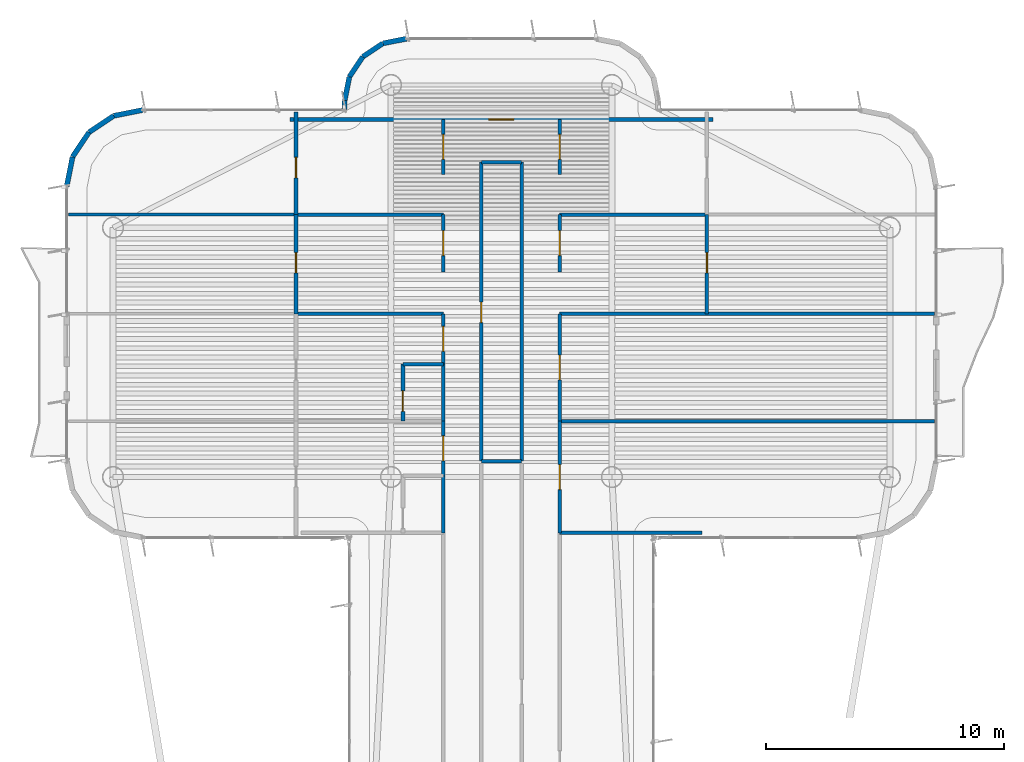
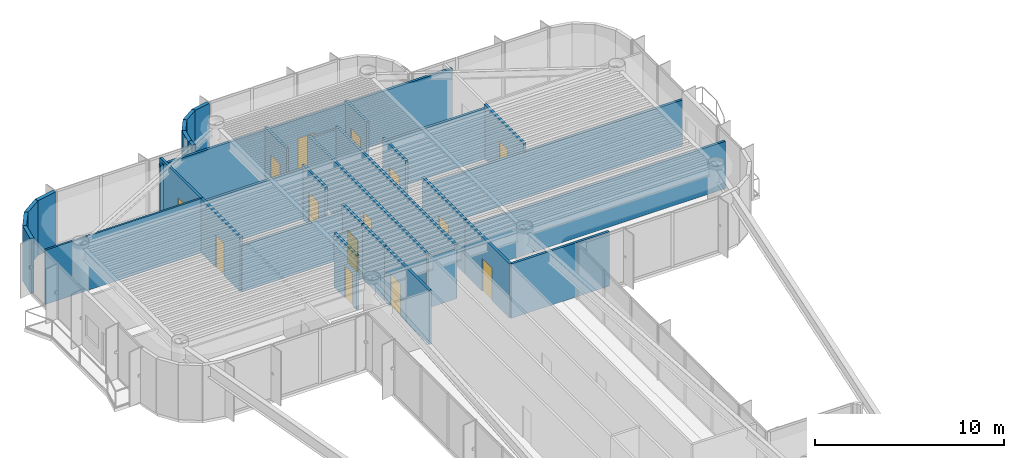
# One storey, part 12 of 15: 36 walls, 14 doors, 14 openings.
"""IFC4 building model written with IfcOpenShell, lengths in metres."""

from ifc_helpers import new_model, si_unit, direction, frame, frame_2d, origin, origin_2d, place, context, subcontext, project, spatial, rectangle, extrude, source, transform, mapped, material, layer, layer_set, type_object, element, fill, save


model = new_model("IFC4")

# Units and contexts
model_context = context("Model", 3, precision=1e-05, world=origin(), true_north=direction((0.0, 1.0)))
body_context = subcontext(model_context, "Body", "Model", "MODEL_VIEW")
ifc_project = project(units=[si_unit("LENGTHUNIT", "METRE"), si_unit("AREAUNIT", "SQUARE_METRE"), si_unit("VOLUMEUNIT", "CUBIC_METRE"), si_unit("PLANEANGLEUNIT", "RADIAN"), si_unit("MASSUNIT", "GRAM", prefix="KILO")], contexts=[model_context])

# Site, building, storey
site_placement = place(None, origin())
site = spatial("IfcSite", under=ifc_project, at=site_placement, CompositionType="ELEMENT")
building_placement = place(site_placement, origin())
building = spatial("IfcBuilding", under=site, at=building_placement, Name="Brelvock Crest Care Tower", CompositionType="ELEMENT")
storey_placement = place(building_placement, frame((0.0, 0.0, 268.3798828125)))
storey = spatial("IfcBuildingStorey", under=building, at=storey_placement, Name="L68", CompositionType="ELEMENT", Elevation=268.3798828125)

# Walls
ifc_material_1 = material(Name="Precast concrete N40 (40 MPa)", Category="concrete")
ifc_layer_1 = layer(ifc_material_1, 0.215087890625, Name="WL-EX2")
ifc_layer_set_1 = layer_set([ifc_layer_1], Name="Precast concrete N40 (40 MPa)")
wall_type_1 = type_object("IfcWallType", Name="WL-EX2", PredefinedType="SOLIDWALL", material=ifc_layer_set_1)
for number, where, z_axis, x_axis, name in (
    (1, (17.699951171875, 56.199951171875, 0.0), (0.0, 0.0, 1.0), (0.195138390419, 0.980775717779, 0.0), "L68 Rounded Corner Wall 18"),
    (2, (17.943603515625, 57.424560546875, 0.0), (0.0, 0.0, 1.0), (0.555557312883, 0.831478245117, 0.0), "L68 Rounded Corner Wall 19"),
    (3, (18.63720703125, 58.462646484375, 0.0), (0.0, 0.0, 1.0), (0.831387912822, 0.555692485475, 0.0), "L68 Rounded Corner Wall 20"),
    (4, (19.67529296875, 59.156494140625, 0.0), (0.0, 0.0, 1.0), (0.980813122964, 0.194950295773, 0.0), "L68 Rounded Corner Wall 21"),
):
    element("IfcWall", number, at=place(storey_placement, frame(where, z_axis=z_axis, x_axis=x_axis)), inside=storey, type_object=wall_type_1, Name=name, PredefinedType="SOLIDWALL", context=body_context, shape_type="SweptSolid", body=[
        extrude(rectangle(XDim=1.24853515625, YDim=0.215087890625, at=frame_2d((0.624267578125, 0.0))), origin(), (0.0, 0.0, 1.0), 3.530029296875),
    ])
wall_1_placement = place(storey_placement, frame((29.39990234375, 59.39990234375, 0.0), z_axis=(0.0, 0.0, 1.0), x_axis=(0.0, 1.0, 0.0)))
element("IfcWall", 5, at=wall_1_placement, inside=storey, type_object=wall_type_1, Name="L68 Rounded Corner Wall 23", PredefinedType="SOLIDWALL", context=body_context, shape_type="SweptSolid", body=[
    extrude(rectangle(XDim=0.400146484375, YDim=0.215087890625, at=frame_2d((0.2001953125, 0.0))), origin(), (0.0, 0.0, 1.0), 3.530029296875),
])
wall_2_placement = place(storey_placement, frame((29.39990234375, 59.800048828125, 0.0), z_axis=(0.0, 0.0, 1.0), x_axis=(0.195190360752, 0.980765376158, 0.0)))
element("IfcWall", 6, at=wall_2_placement, inside=storey, type_object=wall_type_1, Name="L68 Rounded Corner Wall 24", PredefinedType="SOLIDWALL", context=body_context, shape_type="SweptSolid", body=[
    extrude(rectangle(XDim=1.014404296875, YDim=0.215087890625, at=frame_2d((0.50732421875, 0.0))), origin(), (0.0, 0.0, 1.0), 3.530029296875),
])
wall_3_placement = place(storey_placement, frame((29.597900390625, 60.794921875, 0.0), z_axis=(0.0, 0.0, 1.0), x_axis=(0.555643898837, 0.831420385657, 0.0)))
element("IfcWall", 7, at=wall_3_placement, inside=storey, type_object=wall_type_1, Name="L68 Rounded Corner Wall 25", PredefinedType="SOLIDWALL", context=body_context, shape_type="SweptSolid", body=[
    extrude(rectangle(XDim=1.0146484375, YDim=0.215087890625, at=frame_2d((0.50732421875, 0.0))), origin(), (0.0, 0.0, 1.0), 3.530029296875),
])
wall_4_placement = place(storey_placement, frame((30.16162109375, 61.638427734375, 0.0), z_axis=(0.0, 0.0, 1.0), x_axis=(0.831346067305, 0.555755086685, 0.0)))
element("IfcWall", 8, at=wall_4_placement, inside=storey, type_object=wall_type_1, Name="L68 Rounded Corner Wall 26", PredefinedType="SOLIDWALL", context=body_context, shape_type="SweptSolid", body=[
    extrude(rectangle(XDim=1.014404296875, YDim=0.215087890625, at=frame_2d((0.50732421875, 0.0))), origin(), (0.0, 0.0, 1.0), 3.530029296875),
])
wall_5_placement = place(storey_placement, frame((31.0048828125, 62.2021484375, 0.0), z_axis=(0.0, 0.0, 1.0), x_axis=(0.980820570666, 0.194912821943, 0.0)))
element("IfcWall", 9, at=wall_5_placement, inside=storey, type_object=wall_type_1, Name="L68 Rounded Corner Wall 27", PredefinedType="SOLIDWALL", context=body_context, shape_type="SweptSolid", body=[
    extrude(rectangle(XDim=1.0146484375, YDim=0.215087890625, at=frame_2d((0.50732421875, 0.0))), origin(), (0.0, 0.0, 1.0), 3.530029296875),
])
ifc_material_2 = material(Name="Masonry Blockwork Acoustic Partition", Category="masonry")
ifc_layer_2 = layer(ifc_material_2, 0.14990234375, Name="WL-INT1")
ifc_layer_set_2 = layer_set([ifc_layer_2], Name="Masonry Blockwork Acoustic Partition")
wall_type_2 = type_object("IfcWallType", Name="WL-INT1", PredefinedType="PARTITIONING", material=ifc_layer_set_2)
wall_6_placement = place(storey_placement, frame((38.449951171875, 41.60009765625, 0.0), z_axis=(0.0, 0.0, 1.0), x_axis=(1.0, 0.0, 0.0)))
element("IfcWall", 10, at=wall_6_placement, inside=storey, type_object=wall_type_2, Name="L68 Interior Wall WL-BX-L68-ESW1-S", PredefinedType="PARTITIONING", context=body_context, shape_type="SweptSolid", body=[
    extrude(rectangle(XDim=5.993408203125, YDim=0.14990234375, at=frame_2d((2.99658203125, 0.0))), origin(), (0.0, 0.0, 1.0), 3.5),
])
wall_7_placement = place(storey_placement, frame((35.14990234375, 44.6201171875, 0.0), z_axis=(0.0, 0.0, 1.0), x_axis=(1.0, 0.0, 0.0)))
element("IfcWall", 11, at=wall_7_placement, inside=storey, type_object=wall_type_2, Name="L68 Interior Wall WL-BX-L68-ISKT-S", PredefinedType="PARTITIONING", context=body_context, shape_type="SweptSolid", body=[
    extrude(rectangle(XDim=1.7001953125, YDim=0.14990234375, at=frame_2d((0.85009765625, 0.0))), origin(), (0.0, 0.0, 1.0), 3.259033203125),
])
wall_8_placement = place(storey_placement, frame((38.449951171875, 46.298095703125, 0.0), z_axis=(0.0, 0.0, 1.0), x_axis=(1.0, 0.0, 0.0)))
element("IfcWall", 12, at=wall_8_placement, inside=storey, type_object=wall_type_2, Name="L68 Interior Wall WL-BX-L68-ESW1-N", PredefinedType="PARTITIONING", context=body_context, shape_type="SweptSolid", body=[
    extrude(rectangle(XDim=15.77001953125, YDim=0.14990234375, at=frame_2d((7.885009765625, 0.0))), origin(), (0.0, 0.0, 1.0), 3.05517578125),
])
wall_9_placement = place(storey_placement, frame((27.35009765625, 50.822021484375, 0.0), z_axis=(0.0, 0.0, 1.0), x_axis=(1.0, 0.0, 0.0)))
element("IfcWall", 13, at=wall_9_placement, inside=storey, type_object=wall_type_2, Name="L68 Interior Wall WL-BX-L68-CS-WS2-N", PredefinedType="PARTITIONING", context=body_context, shape_type="SweptSolid", body=[
    extrude(rectangle(XDim=6.199951171875, YDim=0.14990234375, at=frame_2d((3.10009765625, 0.0))), origin(), (0.0, 0.0, 1.0), 2.982177734375),
])
wall_10_placement = place(storey_placement, frame((38.449951171875, 50.822021484375, 0.0), z_axis=(0.0, 0.0, 1.0), x_axis=(1.0, 0.0, 0.0)))
element("IfcWall", 14, at=wall_10_placement, inside=storey, type_object=wall_type_2, Name="L68 Interior Wall WL-BX-L68-ESW2-N", PredefinedType="PARTITIONING", context=body_context, shape_type="SweptSolid", body=[
    extrude(rectangle(XDim=15.77001953125, YDim=0.14990234375, at=frame_2d((7.885009765625, 0.0))), origin(), (0.0, 0.0, 1.0), 2.982177734375),
])
for number, where, z_axis, x_axis, name in (
    (15, (27.35009765625, 54.998046875, 0.0), (0.0, 0.0, 1.0), (1.0, 0.0, 0.0), "L68 Interior Wall WL-BX-L68-CS-WS3-N"),
    (16, (38.449951171875, 54.998046875, 0.0), (0.0, 0.0, 1.0), (1.0, 0.0, 0.0), "L68 Interior Wall WL-BX-L68-CS-ES3-N"),
):
    element("IfcWall", number, at=place(storey_placement, frame(where, z_axis=z_axis, x_axis=x_axis)), inside=storey, type_object=wall_type_2, Name=name, PredefinedType="PARTITIONING", context=body_context, shape_type="SweptSolid", body=[
        extrude(rectangle(XDim=6.199951171875, YDim=0.14990234375, at=frame_2d((3.10009765625, 0.0))), origin(), (0.0, 0.0, 1.0), 3.259033203125),
    ])
wall_11_placement = place(storey_placement, frame((35.14990234375, 57.199951171875, 0.0), z_axis=(0.0, 0.0, 1.0), x_axis=(1.0, 0.0, 0.0)))
element("IfcWall", 17, at=wall_11_placement, inside=storey, type_object=wall_type_2, Name="L68 Interior Wall WL-BX-L68-ISKT-N", PredefinedType="PARTITIONING", context=body_context, shape_type="SweptSolid", body=[
    extrude(rectangle(XDim=1.7001953125, YDim=0.14990234375, at=frame_2d((0.85009765625, 0.0))), origin(), (0.0, 0.0, 1.0), 3.30810546875),
])

# Wall, opening, door
wall_12_placement = place(storey_placement, frame((27.10009765625, 59.0, 0.0), z_axis=(0.0, 0.0, 1.0), x_axis=(1.0, 0.0, 0.0)))
wall_12 = element("IfcWall", 18, at=wall_12_placement, inside=storey, type_object=wall_type_2, Name="L68 Interior Wall WL-RM-L68-NHUB", PredefinedType="PARTITIONING", context=body_context, shape_type="SweptSolid", body=[
    extrude(rectangle(XDim=17.7998046875, YDim=0.14990234375, at=frame_2d((8.89990234375, 0.0))), origin(), (0.0, 0.0, 1.0), 3.30810546875),
])
opening_1_placement = place(wall_12_placement, frame((8.375, 0.0, 0.0)))
opening_1 = element("IfcOpeningElement", 19, at=opening_1_placement, cuts=wall_12, Name="Opening CLD-1", PredefinedType="OPENING", context=body_context, shape_type="SweptSolid", body=[
    extrude(rectangle(XDim=1.050048828125, YDim=2.10009765625, at=origin_2d()), frame((0.52490234375, 0.0849609375, 1.050048828125), z_axis=(0.0, -1.0, 0.0), x_axis=(1.0, 0.0, 0.0)), (0.0, 0.0, 1.0), 0.169921875),
])
ifc_material_3 = material(Name="Engineered Hardwood Timber", Category="wood")
door_type_1 = type_object("IfcDoorType", Name="DR-CLN1", OperationType="NOTDEFINED", PredefinedType="DOOR", material=ifc_material_3)
shared_shape_1 = source(origin(), body_context, "Body", "SweptSolid", [
    extrude(rectangle(XDim=1.050048828125, YDim=2.10009765625, at=origin_2d()), frame((0.52490234375, 0.02490234375, 1.050048828125), z_axis=(0.0, -1.0, 0.0), x_axis=(1.0, 0.0, 0.0)), (0.0, 0.0, 1.0), 0.050048828125),
])
door_1_placement = place(opening_1_placement, origin())
door_1 = element("IfcDoor", 20, at=door_1_placement, inside=storey, type_object=door_type_1, Name="L68 North Crest Conservatory Lounge Door NHUB", OperationType="SINGLE_SWING_LEFT", OverallHeight=2.10009765625, OverallWidth=1.050048828125, PredefinedType="DOOR", context=body_context, shape_type="MappedRepresentation", body=[
    mapped(shared_shape_1, transform((0.0, 0.0, 0.0), x_axis=(1.0, 0.0, 0.0), y_axis=(0.0, 1.0, 0.0), z_axis=(0.0, 0.0, 1.0), scale=1.0)),
])
fill(opening_1, door_1)

wall_13_placement = place(storey_placement, frame((27.35009765625, 50.822021484375, 0.0), z_axis=(0.0, 0.0, 1.0), x_axis=(0.0, 1.0, 0.0)))
wall_13 = element("IfcWall", 21, at=wall_13_placement, inside=storey, type_object=wall_type_2, Name="L68 Interior Wall WL-RM-L68-WS3S", PredefinedType="PARTITIONING", context=body_context, shape_type="SweptSolid", body=[
    extrude(rectangle(XDim=4.176025390625, YDim=0.14990234375, at=frame_2d((2.087890625, 0.0))), origin(), (0.0, 0.0, 1.0), 3.5),
])
opening_2_placement = place(wall_13_placement, frame((1.718017578125, 0.0, 0.0)))
opening_2 = element("IfcOpeningElement", 22, at=opening_2_placement, cuts=wall_13, Name="Opening ID-1", PredefinedType="OPENING", context=body_context, shape_type="SweptSolid", body=[
    extrude(rectangle(XDim=0.860107421875, YDim=2.10009765625, at=origin_2d()), frame((0.43017578125, 0.0849609375, 1.050048828125), z_axis=(0.0, -1.0, 0.0), x_axis=(1.0, 0.0, 0.0)), (0.0, 0.0, 1.0), 0.169921875),
])
door_type_2 = type_object("IfcDoorType", Name="DR-INT1", OperationType="NOTDEFINED", PredefinedType="DOOR", material=ifc_material_3)
shared_shape_2 = source(origin(), body_context, "Body", "SweptSolid", [
    extrude(rectangle(XDim=0.860107421875, YDim=2.10009765625, at=origin_2d()), frame((0.43017578125, 0.02490234375, 1.050048828125), z_axis=(0.0, -1.0, 0.0), x_axis=(1.0, 0.0, 0.0)), (0.0, 0.0, 1.0), 0.050048828125),
])
door_2_placement = place(opening_2_placement, origin())
door_2 = element("IfcDoor", 23, at=door_2_placement, inside=storey, type_object=door_type_2, Name="L68 Skilled Nursing Mobility Store Door WS3S", OperationType="SINGLE_SWING_LEFT", OverallHeight=2.10009765625, OverallWidth=0.860107421875, PredefinedType="DOOR", context=body_context, shape_type="MappedRepresentation", body=[
    mapped(shared_shape_2, transform((0.0, 0.0, 0.0), x_axis=(1.0, 0.0, 0.0), y_axis=(0.0, 1.0, 0.0), z_axis=(0.0, 0.0, 1.0), scale=1.0)),
])
fill(opening_2, door_2)

wall_14_placement = place(storey_placement, frame((27.35009765625, 54.998046875, 0.0), z_axis=(0.0, 0.0, 1.0), x_axis=(0.0, 1.0, 0.0)))
wall_14 = element("IfcWall", 24, at=wall_14_placement, inside=storey, type_object=wall_type_2, Name="L68 Interior Wall WL-RM-L68-WS4S", PredefinedType="PARTITIONING", context=body_context, shape_type="SweptSolid", body=[
    extrude(rectangle(XDim=4.324462890625, YDim=0.14990234375, at=frame_2d((2.162109375, 0.0))), origin(), (0.0, 0.0, 1.0), 3.5),
])
opening_3_placement = place(wall_14_placement, frame((1.5419921875, 0.0, 0.0)))
opening_3 = element("IfcOpeningElement", 25, at=opening_3_placement, cuts=wall_14, Name="Opening ID-1", PredefinedType="OPENING", context=body_context, shape_type="SweptSolid", body=[
    extrude(rectangle(XDim=0.860107421875, YDim=2.10009765625, at=origin_2d()), frame((0.43017578125, 0.0849609375, 1.050048828125), z_axis=(0.0, -1.0, 0.0), x_axis=(1.0, 0.0, 0.0)), (0.0, 0.0, 1.0), 0.169921875),
])
door_3_placement = place(opening_3_placement, origin())
door_3 = element("IfcDoor", 26, at=door_3_placement, inside=storey, type_object=door_type_2, Name="L68 Skilled Nursing Mobility Store Door WS4S", OperationType="SINGLE_SWING_LEFT", OverallHeight=2.10009765625, OverallWidth=0.860107421875, PredefinedType="DOOR", context=body_context, shape_type="MappedRepresentation", body=[
    mapped(shared_shape_2, transform((0.0, 0.0, 0.0), x_axis=(1.0, 0.0, 0.0), y_axis=(0.0, 1.0, 0.0), z_axis=(0.0, 0.0, 1.0), scale=1.0)),
])
fill(opening_3, door_3)

wall_15_placement = place(storey_placement, frame((33.550048828125, 44.0, 0.0), z_axis=(0.0, 0.0, 1.0), x_axis=(0.0, 1.0, 0.0)))
wall_15 = element("IfcWall", 27, at=wall_15_placement, inside=storey, type_object=wall_type_2, Name="L68 Interior Wall WL-CENT-L68-WS1", PredefinedType="PARTITIONING", context=body_context, shape_type="SweptSolid", body=[
    extrude(rectangle(XDim=2.298095703125, YDim=0.14990234375, at=frame_2d((1.14892578125, 0.0))), origin(), (0.0, 0.0, 1.0), 3.5),
])
opening_4_placement = place(wall_15_placement, frame((0.62890625, 0.0, 0.0)))
opening_4 = element("IfcOpeningElement", 28, at=opening_4_placement, cuts=wall_15, Name="Opening CD-1", PredefinedType="OPENING", context=body_context, shape_type="SweptSolid", body=[
    extrude(rectangle(XDim=1.050048828125, YDim=2.10009765625, at=origin_2d()), frame((0.52490234375, 0.0849609375, 1.050048828125), z_axis=(0.0, -1.0, 0.0), x_axis=(1.0, 0.0, 0.0)), (0.0, 0.0, 1.0), 0.169921875),
])
door_type_3 = type_object("IfcDoorType", Name="DR-CARE1", OperationType="NOTDEFINED", PredefinedType="DOOR", material=ifc_material_3)
shared_shape_3 = source(origin(), body_context, "Body", "SweptSolid", [
    extrude(rectangle(XDim=1.050048828125, YDim=2.10009765625, at=origin_2d()), frame((0.52490234375, 0.02490234375, 1.050048828125), z_axis=(0.0, -1.0, 0.0), x_axis=(1.0, 0.0, 0.0)), (0.0, 0.0, 1.0), 0.050048828125),
])
door_4_placement = place(opening_4_placement, origin())
door_4 = element("IfcDoor", 29, at=door_4_placement, inside=storey, type_object=door_type_3, Name="L68 Care Suite Door WS1", OperationType="SINGLE_SWING_LEFT", OverallHeight=2.10009765625, OverallWidth=1.050048828125, PredefinedType="DOOR", context=body_context, shape_type="MappedRepresentation", body=[
    mapped(shared_shape_3, transform((0.0, 0.0, 0.0), x_axis=(1.0, 0.0, 0.0), y_axis=(0.0, 1.0, 0.0), z_axis=(0.0, 0.0, 1.0), scale=1.0)),
])
fill(opening_4, door_4)

wall_16_placement = place(storey_placement, frame((33.550048828125, 48.697998046875, 0.0), z_axis=(0.0, 0.0, 1.0), x_axis=(0.0, 1.0, 0.0)))
wall_16 = element("IfcWall", 30, at=wall_16_placement, inside=storey, type_object=wall_type_2, Name="L68 Interior Wall WL-CENT-L68-WS2", PredefinedType="PARTITIONING", context=body_context, shape_type="SweptSolid", body=[
    extrude(rectangle(XDim=2.1240234375, YDim=0.14990234375, at=frame_2d((1.06201171875, 0.0))), origin(), (0.0, 0.0, 1.0), 3.5),
])
opening_5_placement = place(wall_16_placement, frame((0.5419921875, 0.0, 0.0)))
opening_5 = element("IfcOpeningElement", 31, at=opening_5_placement, cuts=wall_16, Name="Opening CD-1", PredefinedType="OPENING", context=body_context, shape_type="SweptSolid", body=[
    extrude(rectangle(XDim=1.050048828125, YDim=2.10009765625, at=origin_2d()), frame((0.52490234375, 0.0849609375, 1.050048828125), z_axis=(0.0, -1.0, 0.0), x_axis=(1.0, 0.0, 0.0)), (0.0, 0.0, 1.0), 0.169921875),
])
door_5_placement = place(opening_5_placement, origin())
door_5 = element("IfcDoor", 32, at=door_5_placement, inside=storey, type_object=door_type_3, Name="L68 Care Suite Door WS2", OperationType="SINGLE_SWING_LEFT", OverallHeight=2.10009765625, OverallWidth=1.050048828125, PredefinedType="DOOR", context=body_context, shape_type="MappedRepresentation", body=[
    mapped(shared_shape_3, transform((0.0, 0.0, 0.0), x_axis=(1.0, 0.0, 0.0), y_axis=(0.0, 1.0, 0.0), z_axis=(0.0, 0.0, 1.0), scale=1.0)),
])
fill(opening_5, door_5)

wall_17_placement = place(storey_placement, frame((33.550048828125, 52.575927734375, 0.0), z_axis=(0.0, 0.0, 1.0), x_axis=(0.0, 1.0, 0.0)))
wall_17 = element("IfcWall", 33, at=wall_17_placement, inside=storey, type_object=wall_type_2, Name="L68 Interior Wall WL-CENT-L68-WS3", PredefinedType="PARTITIONING", context=body_context, shape_type="SweptSolid", body=[
    extrude(rectangle(XDim=2.422119140625, YDim=0.14990234375, at=frame_2d((1.2109375, 0.0))), origin(), (0.0, 0.0, 1.0), 3.5),
])
opening_6_placement = place(wall_17_placement, frame((0.69091796875, 0.0, 0.0)))
opening_6 = element("IfcOpeningElement", 34, at=opening_6_placement, cuts=wall_17, Name="Opening CD-1", PredefinedType="OPENING", context=body_context, shape_type="SweptSolid", body=[
    extrude(rectangle(XDim=1.050048828125, YDim=2.10009765625, at=origin_2d()), frame((0.52490234375, 0.0849609375, 1.050048828125), z_axis=(0.0, -1.0, 0.0), x_axis=(1.0, 0.0, 0.0)), (0.0, 0.0, 1.0), 0.169921875),
])
door_6_placement = place(opening_6_placement, origin())
door_6 = element("IfcDoor", 35, at=door_6_placement, inside=storey, type_object=door_type_3, Name="L68 Care Suite Door WS3", OperationType="SINGLE_SWING_LEFT", OverallHeight=2.10009765625, OverallWidth=1.050048828125, PredefinedType="DOOR", context=body_context, shape_type="MappedRepresentation", body=[
    mapped(shared_shape_3, transform((0.0, 0.0, 0.0), x_axis=(1.0, 0.0, 0.0), y_axis=(0.0, 1.0, 0.0), z_axis=(0.0, 0.0, 1.0), scale=1.0)),
])
fill(opening_6, door_6)

wall_18_placement = place(storey_placement, frame((33.550048828125, 56.678955078125, 0.0), z_axis=(0.0, 0.0, 1.0), x_axis=(0.0, 1.0, 0.0)))
wall_18 = element("IfcWall", 36, at=wall_18_placement, inside=storey, type_object=wall_type_2, Name="L68 Interior Wall WL-CENT-L68-WS4", PredefinedType="PARTITIONING", context=body_context, shape_type="SweptSolid", body=[
    extrude(rectangle(XDim=2.321044921875, YDim=0.14990234375, at=frame_2d((1.16064453125, 0.0))), origin(), (0.0, 0.0, 1.0), 3.5),
])
opening_7_placement = place(wall_18_placement, frame((0.639892578125, 0.0, 0.0)))
opening_7 = element("IfcOpeningElement", 37, at=opening_7_placement, cuts=wall_18, Name="Opening CD-1", PredefinedType="OPENING", context=body_context, shape_type="SweptSolid", body=[
    extrude(rectangle(XDim=1.050048828125, YDim=2.10009765625, at=origin_2d()), frame((0.52490234375, 0.0849609375, 1.050048828125), z_axis=(0.0, -1.0, 0.0), x_axis=(1.0, 0.0, 0.0)), (0.0, 0.0, 1.0), 0.169921875),
])
door_7_placement = place(opening_7_placement, origin())
door_7 = element("IfcDoor", 38, at=door_7_placement, inside=storey, type_object=door_type_3, Name="L68 Care Suite Door WS4", OperationType="SINGLE_SWING_LEFT", OverallHeight=2.10009765625, OverallWidth=1.050048828125, PredefinedType="DOOR", context=body_context, shape_type="MappedRepresentation", body=[
    mapped(shared_shape_3, transform((0.0, 0.0, 0.0), x_axis=(1.0, 0.0, 0.0), y_axis=(0.0, 1.0, 0.0), z_axis=(0.0, 0.0, 1.0), scale=1.0)),
])
fill(opening_7, door_7)

wall_19_placement = place(storey_placement, frame((35.14990234375, 44.6201171875, 0.0), z_axis=(0.0, 0.0, 1.0), x_axis=(0.0, 1.0, 0.0)))
wall_19 = element("IfcWall", 39, at=wall_19_placement, inside=storey, type_object=wall_type_2, Name="L68 Interior Wall WL-RM-L68-ISKT", PredefinedType="PARTITIONING", context=body_context, shape_type="SweptSolid", body=[
    extrude(rectangle(XDim=12.579833984375, YDim=0.14990234375, at=frame_2d((6.2900390625, 0.0))), origin(), (0.0, 0.0, 1.0), 3.5),
])
opening_8_placement = place(wall_19_placement, frame((5.830078125, 0.0, 0.0)))
opening_8 = element("IfcOpeningElement", 40, at=opening_8_placement, cuts=wall_19, Name="Opening ID-1", PredefinedType="OPENING", context=body_context, shape_type="SweptSolid", body=[
    extrude(rectangle(XDim=0.860107421875, YDim=2.10009765625, at=origin_2d()), frame((0.43017578125, 0.0849609375, 1.050048828125), z_axis=(0.0, -1.0, 0.0), x_axis=(1.0, 0.0, 0.0)), (0.0, 0.0, 1.0), 0.169921875),
])
door_8_placement = place(opening_8_placement, origin())
door_8 = element("IfcDoor", 41, at=door_8_placement, inside=storey, type_object=door_type_2, Name="L68 Communal Tea and Nutrition Pantry Door ISKT", OperationType="SINGLE_SWING_LEFT", OverallHeight=2.10009765625, OverallWidth=0.860107421875, PredefinedType="DOOR", context=body_context, shape_type="MappedRepresentation", body=[
    mapped(shared_shape_2, transform((0.0, 0.0, 0.0), x_axis=(1.0, 0.0, 0.0), y_axis=(0.0, 1.0, 0.0), z_axis=(0.0, 0.0, 1.0), scale=1.0)),
])
fill(opening_8, door_8)

# Wall
wall_20_placement = place(storey_placement, frame((36.85009765625, 44.6201171875, 0.0), z_axis=(0.0, 0.0, 1.0), x_axis=(0.0, 1.0, 0.0)))
element("IfcWall", 42, at=wall_20_placement, inside=storey, type_object=wall_type_2, Name="L68 Interior Wall WL-BX-L68-ISKT-E", PredefinedType="PARTITIONING", context=body_context, shape_type="SweptSolid", body=[
    extrude(rectangle(XDim=12.579833984375, YDim=0.14990234375, at=frame_2d((6.2900390625, 0.0))), origin(), (0.0, 0.0, 1.0), 3.5),
])

# Wall, opening, door
wall_21_placement = place(storey_placement, frame((38.449951171875, 41.60009765625, 0.0), z_axis=(0.0, 0.0, 1.0), x_axis=(0.0, 1.0, 0.0)))
wall_21 = element("IfcWall", 43, at=wall_21_placement, inside=storey, type_object=wall_type_2, Name="L68 Interior Wall WL-RM-L68-ESW1", PredefinedType="PARTITIONING", context=body_context, shape_type="SweptSolid", body=[
    extrude(rectangle(XDim=4.697998046875, YDim=0.14990234375, at=frame_2d((2.34912109375, 0.0))), origin(), (0.0, 0.0, 1.0), 3.5),
])
opening_9_placement = place(wall_21_placement, frame((1.823974609375, 0.0, 0.0)))
opening_9 = element("IfcOpeningElement", 44, at=opening_9_placement, cuts=wall_21, Name="Opening CD-1", PredefinedType="OPENING", context=body_context, shape_type="SweptSolid", body=[
    extrude(rectangle(XDim=1.050048828125, YDim=2.10009765625, at=origin_2d()), frame((0.52490234375, 0.0849609375, 1.050048828125), z_axis=(0.0, -1.0, 0.0), x_axis=(1.0, 0.0, 0.0)), (0.0, 0.0, 1.0), 0.169921875),
])
door_9_placement = place(opening_9_placement, origin())
door_9 = element("IfcDoor", 45, at=door_9_placement, inside=storey, type_object=door_type_3, Name="L68 Skilled Nursing Telemetry Ward Door ESW1", OperationType="SINGLE_SWING_LEFT", OverallHeight=2.10009765625, OverallWidth=1.050048828125, PredefinedType="DOOR", context=body_context, shape_type="MappedRepresentation", body=[
    mapped(shared_shape_3, transform((0.0, 0.0, 0.0), x_axis=(1.0, 0.0, 0.0), y_axis=(0.0, 1.0, 0.0), z_axis=(0.0, 0.0, 1.0), scale=1.0)),
])
fill(opening_9, door_9)

wall_22_placement = place(storey_placement, frame((38.449951171875, 46.298095703125, 0.0), z_axis=(0.0, 0.0, 1.0), x_axis=(0.0, 1.0, 0.0)))
wall_22 = element("IfcWall", 46, at=wall_22_placement, inside=storey, type_object=wall_type_2, Name="L68 Interior Wall WL-RM-L68-ESW2", PredefinedType="PARTITIONING", context=body_context, shape_type="SweptSolid", body=[
    extrude(rectangle(XDim=4.52392578125, YDim=0.14990234375, at=frame_2d((2.261962890625, 0.0))), origin(), (0.0, 0.0, 1.0), 3.5),
])
opening_10_placement = place(wall_22_placement, frame((1.737060546875, 0.0, 0.0)))
opening_10 = element("IfcOpeningElement", 47, at=opening_10_placement, cuts=wall_22, Name="Opening CD-1", PredefinedType="OPENING", context=body_context, shape_type="SweptSolid", body=[
    extrude(rectangle(XDim=1.050048828125, YDim=2.10009765625, at=origin_2d()), frame((0.52490234375, 0.0849609375, 1.050048828125), z_axis=(0.0, -1.0, 0.0), x_axis=(1.0, 0.0, 0.0)), (0.0, 0.0, 1.0), 0.169921875),
])
door_10_placement = place(opening_10_placement, origin())
door_10 = element("IfcDoor", 48, at=door_10_placement, inside=storey, type_object=door_type_3, Name="L68 Sub-Acute Geriatric Therapy Clinic Door ESW2", OperationType="SINGLE_SWING_LEFT", OverallHeight=2.10009765625, OverallWidth=1.050048828125, PredefinedType="DOOR", context=body_context, shape_type="MappedRepresentation", body=[
    mapped(shared_shape_3, transform((0.0, 0.0, 0.0), x_axis=(1.0, 0.0, 0.0), y_axis=(0.0, 1.0, 0.0), z_axis=(0.0, 0.0, 1.0), scale=1.0)),
])
fill(opening_10, door_10)

wall_23_placement = place(storey_placement, frame((38.449951171875, 52.575927734375, 0.0), z_axis=(0.0, 0.0, 1.0), x_axis=(0.0, 1.0, 0.0)))
wall_23 = element("IfcWall", 49, at=wall_23_placement, inside=storey, type_object=wall_type_2, Name="L68 Interior Wall WL-CENT-L68-ES3", PredefinedType="PARTITIONING", context=body_context, shape_type="SweptSolid", body=[
    extrude(rectangle(XDim=2.422119140625, YDim=0.14990234375, at=frame_2d((1.2109375, 0.0))), origin(), (0.0, 0.0, 1.0), 3.5),
])
opening_11_placement = place(wall_23_placement, frame((0.69091796875, 0.0, 0.0)))
opening_11 = element("IfcOpeningElement", 50, at=opening_11_placement, cuts=wall_23, Name="Opening CD-1", PredefinedType="OPENING", context=body_context, shape_type="SweptSolid", body=[
    extrude(rectangle(XDim=1.050048828125, YDim=2.10009765625, at=origin_2d()), frame((0.52490234375, 0.0849609375, 1.050048828125), z_axis=(0.0, -1.0, 0.0), x_axis=(1.0, 0.0, 0.0)), (0.0, 0.0, 1.0), 0.169921875),
])
door_11_placement = place(opening_11_placement, origin())
door_11 = element("IfcDoor", 51, at=door_11_placement, inside=storey, type_object=door_type_3, Name="L68 Care Suite Door ES3", OperationType="SINGLE_SWING_LEFT", OverallHeight=2.10009765625, OverallWidth=1.050048828125, PredefinedType="DOOR", context=body_context, shape_type="MappedRepresentation", body=[
    mapped(shared_shape_3, transform((0.0, 0.0, 0.0), x_axis=(1.0, 0.0, 0.0), y_axis=(0.0, 1.0, 0.0), z_axis=(0.0, 0.0, 1.0), scale=1.0)),
])
fill(opening_11, door_11)

wall_24_placement = place(storey_placement, frame((38.449951171875, 56.678955078125, 0.0), z_axis=(0.0, 0.0, 1.0), x_axis=(0.0, 1.0, 0.0)))
wall_24 = element("IfcWall", 52, at=wall_24_placement, inside=storey, type_object=wall_type_2, Name="L68 Interior Wall WL-CENT-L68-ES4", PredefinedType="PARTITIONING", context=body_context, shape_type="SweptSolid", body=[
    extrude(rectangle(XDim=2.321044921875, YDim=0.14990234375, at=frame_2d((1.16064453125, 0.0))), origin(), (0.0, 0.0, 1.0), 3.5),
])
opening_12_placement = place(wall_24_placement, frame((0.639892578125, 0.0, 0.0)))
opening_12 = element("IfcOpeningElement", 53, at=opening_12_placement, cuts=wall_24, Name="Opening CD-1", PredefinedType="OPENING", context=body_context, shape_type="SweptSolid", body=[
    extrude(rectangle(XDim=1.050048828125, YDim=2.10009765625, at=origin_2d()), frame((0.52490234375, 0.0849609375, 1.050048828125), z_axis=(0.0, -1.0, 0.0), x_axis=(1.0, 0.0, 0.0)), (0.0, 0.0, 1.0), 0.169921875),
])
door_12_placement = place(opening_12_placement, origin())
door_12 = element("IfcDoor", 54, at=door_12_placement, inside=storey, type_object=door_type_3, Name="L68 Care Suite Door ES4", OperationType="SINGLE_SWING_LEFT", OverallHeight=2.10009765625, OverallWidth=1.050048828125, PredefinedType="DOOR", context=body_context, shape_type="MappedRepresentation", body=[
    mapped(shared_shape_3, transform((0.0, 0.0, 0.0), x_axis=(1.0, 0.0, 0.0), y_axis=(0.0, 1.0, 0.0), z_axis=(0.0, 0.0, 1.0), scale=1.0)),
])
fill(opening_12, door_12)

wall_25_placement = place(storey_placement, frame((44.64990234375, 50.822021484375, 0.0), z_axis=(0.0, 0.0, 1.0), x_axis=(0.0, 1.0, 0.0)))
wall_25 = element("IfcWall", 55, at=wall_25_placement, inside=storey, type_object=wall_type_2, Name="L68 Interior Wall WL-RM-L68-ES3S", PredefinedType="PARTITIONING", context=body_context, shape_type="SweptSolid", body=[
    extrude(rectangle(XDim=4.176025390625, YDim=0.14990234375, at=frame_2d((2.087890625, 0.0))), origin(), (0.0, 0.0, 1.0), 3.5),
])
opening_13_placement = place(wall_25_placement, frame((1.718017578125, 0.0, 0.0)))
opening_13 = element("IfcOpeningElement", 56, at=opening_13_placement, cuts=wall_25, Name="Opening ID-1", PredefinedType="OPENING", context=body_context, shape_type="SweptSolid", body=[
    extrude(rectangle(XDim=0.860107421875, YDim=2.10009765625, at=origin_2d()), frame((0.43017578125, 0.0849609375, 1.050048828125), z_axis=(0.0, -1.0, 0.0), x_axis=(1.0, 0.0, 0.0)), (0.0, 0.0, 1.0), 0.169921875),
])
door_13_placement = place(opening_13_placement, origin())
door_13 = element("IfcDoor", 57, at=door_13_placement, inside=storey, type_object=door_type_2, Name="L68 Skilled Nursing Mobility Store Door ES3S", OperationType="SINGLE_SWING_LEFT", OverallHeight=2.10009765625, OverallWidth=0.860107421875, PredefinedType="DOOR", context=body_context, shape_type="MappedRepresentation", body=[
    mapped(shared_shape_2, transform((0.0, 0.0, 0.0), x_axis=(1.0, 0.0, 0.0), y_axis=(0.0, 1.0, 0.0), z_axis=(0.0, 0.0, 1.0), scale=1.0)),
])
fill(opening_13, door_13)

# Walls
ifc_material_4 = material(Name="Gypsum Plasterboard Partition", Category="gypsum")
ifc_layer_3 = layer(ifc_material_4, 0.1201171875, Name="WL-INT2")
ifc_layer_set_3 = layer_set([ifc_layer_3], Name="Gypsum Plasterboard Partition")
wall_type_3 = type_object("IfcWallType", Name="WL-INT2", PredefinedType="PARTITIONING", material=ifc_layer_set_3)
wall_26_placement = place(storey_placement, frame((17.780029296875, 54.998046875, 0.0), z_axis=(0.0, 0.0, 1.0), x_axis=(1.0, 0.0, 0.0)))
element("IfcWall", 58, at=wall_26_placement, inside=storey, type_object=wall_type_3, Name="L68 Interior Wall WL-BX-L68-WS3S-N", PredefinedType="PARTITIONING", context=body_context, shape_type="SweptSolid", body=[
    extrude(rectangle(XDim=9.570068359375, YDim=0.1201171875, at=frame_2d((4.78515625, 0.0))), origin(), (0.0, 0.0, 1.0), 3.5),
])
ifc_layer_4 = layer(ifc_material_4, 0.159912109375, Name="WL-PLM1")
ifc_layer_set_4 = layer_set([ifc_layer_4], Name="Gypsum Plasterboard Partition")
wall_type_4 = type_object("IfcWallType", Name="WL-PLM1", PredefinedType="PLUMBINGWALL", material=ifc_layer_set_4)
wall_27_placement = place(storey_placement, frame((31.85009765625, 48.697998046875, 0.0), z_axis=(0.0, 0.0, 1.0), x_axis=(1.0, 0.0, 0.0)))
element("IfcWall", 59, at=wall_27_placement, inside=storey, type_object=wall_type_4, Name="L68 Interior Wall WL-CENS2-L68-WS2", PredefinedType="PLUMBINGWALL", context=body_context, shape_type="SweptSolid", body=[
    extrude(rectangle(XDim=1.699951171875, YDim=0.159912109375, at=frame_2d((0.85009765625, 0.0))), origin(), (0.0, 0.0, 1.0), 3.259033203125),
])

# Wall, opening, door
wall_28_placement = place(storey_placement, frame((31.85009765625, 46.298095703125, 0.0), z_axis=(0.0, 0.0, 1.0), x_axis=(0.0, 1.0, 0.0)))
wall_28 = element("IfcWall", 60, at=wall_28_placement, inside=storey, type_object=wall_type_4, Name="L68 Interior Wall WL-CENS1-L68-WS2", PredefinedType="PLUMBINGWALL", context=body_context, shape_type="SweptSolid", body=[
    extrude(rectangle(XDim=2.39990234375, YDim=0.159912109375, at=frame_2d((1.199951171875, 0.0))), origin(), (0.0, 0.0, 1.0), 3.5),
])
opening_14_placement = place(wall_28_placement, frame((0.419921875, 0.0, 0.0)))
opening_14 = element("IfcOpeningElement", 61, at=opening_14_placement, cuts=wall_28, Name="Opening WD-1", PredefinedType="OPENING", context=body_context, shape_type="SweptSolid", body=[
    extrude(rectangle(XDim=0.860107421875, YDim=2.10009765625, at=origin_2d()), frame((0.43017578125, 0.08984375, 1.050048828125), z_axis=(0.0, -1.0, 0.0), x_axis=(1.0, 0.0, 0.0)), (0.0, 0.0, 1.0), 0.179931640625),
])
door_type_4 = type_object("IfcDoorType", Name="DR-WC1", OperationType="NOTDEFINED", PredefinedType="DOOR", material=ifc_material_3)
shared_shape_4 = source(origin(), body_context, "Body", "SweptSolid", [
    extrude(rectangle(XDim=0.860107421875, YDim=2.10009765625, at=origin_2d()), frame((0.43017578125, 0.02490234375, 1.050048828125), z_axis=(0.0, -1.0, 0.0), x_axis=(1.0, 0.0, 0.0)), (0.0, 0.0, 1.0), 0.050048828125),
])
door_14_placement = place(opening_14_placement, origin())
door_14 = element("IfcDoor", 62, at=door_14_placement, inside=storey, type_object=door_type_4, Name="L68 Care En-Suite Door WS2", OperationType="SINGLE_SWING_LEFT", OverallHeight=2.10009765625, OverallWidth=0.860107421875, PredefinedType="DOOR", context=body_context, shape_type="MappedRepresentation", body=[
    mapped(shared_shape_4, transform((0.0, 0.0, 0.0), x_axis=(1.0, 0.0, 0.0), y_axis=(0.0, 1.0, 0.0), z_axis=(0.0, 0.0, 1.0), scale=1.0)),
])
fill(opening_14, door_14)

# Walls
for number, where, z_axis, x_axis, name in (
    (63, (33.550048828125, 41.60009765625, 0.0), (0.0, 0.0, 1.0), (0.0, 1.0, 0.0), "L68 Interior Wall WL-CENS0-L68-WS1"),
    (64, (33.550048828125, 46.298095703125, 0.0), (0.0, 0.0, 1.0), (0.0, 1.0, 0.0), "L68 Interior Wall WL-CENS0-L68-WS2"),
):
    element("IfcWall", number, at=place(storey_placement, frame(where, z_axis=z_axis, x_axis=x_axis)), inside=storey, type_object=wall_type_4, Name=name, PredefinedType="PLUMBINGWALL", context=body_context, shape_type="SweptSolid", body=[
        extrude(rectangle(XDim=2.39990234375, YDim=0.159912109375, at=frame_2d((1.199951171875, 0.0))), origin(), (0.0, 0.0, 1.0), 3.5),
    ])

save(model, "model.ifc")
